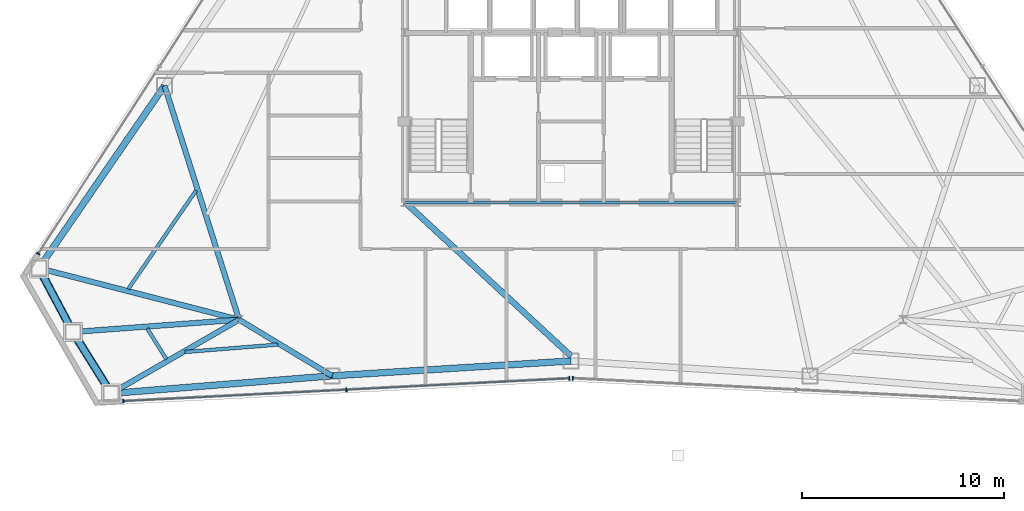
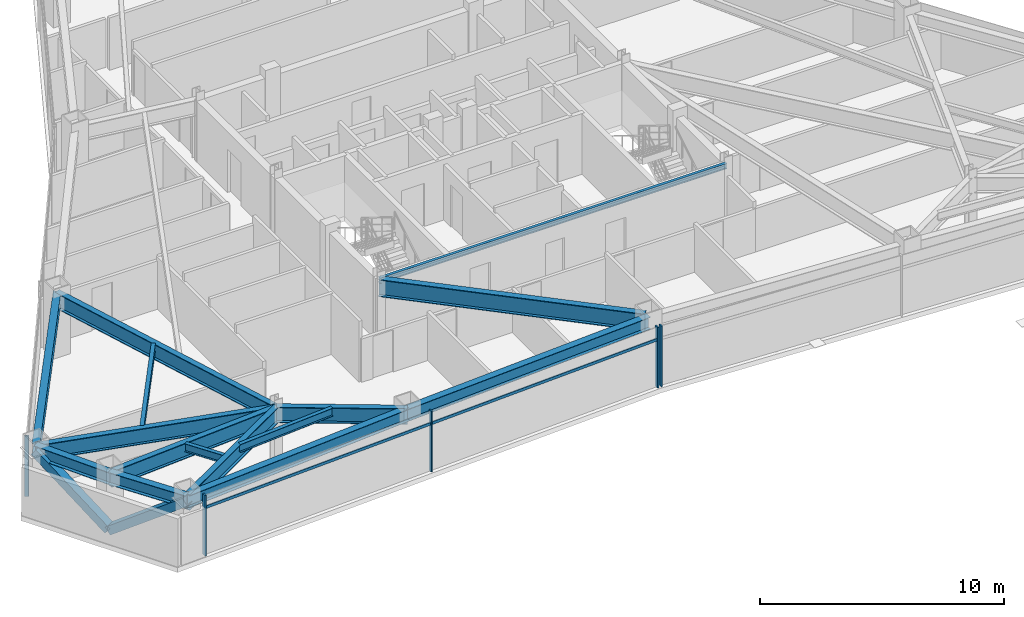
# One storey, part 3 of 12: 15 beams, 8 members, 3 elements without a shape of their own.
"""IFC4 building model written with IfcOpenShell, lengths in metres."""

from ifc_helpers import new_model, si_unit, direction, frame, origin, origin_2d, place, context, subcontext, project, spatial, rectangle, hollow_rectangle, i_section, extrude, source, transform, mapped, material, layer, layer_set, material_profile, profile_set, type_object, type_shapes, element, aggregate, save


model = new_model("IFC4")

# Units and contexts
model_context = context("Model", 3, precision=1e-05, world=origin(), true_north=direction((0.0, 1.0)))
body_context = subcontext(model_context, "Body", "Model", "MODEL_VIEW")
ifc_project = project(units=[si_unit("LENGTHUNIT", "METRE"), si_unit("AREAUNIT", "SQUARE_METRE"), si_unit("VOLUMEUNIT", "CUBIC_METRE"), si_unit("PLANEANGLEUNIT", "RADIAN"), si_unit("MASSUNIT", "GRAM", prefix="KILO")], contexts=[model_context])

# Site, building, storey
site_placement = place(None, origin())
site = spatial("IfcSite", under=ifc_project, at=site_placement, CompositionType="ELEMENT")
building_placement = place(site_placement, origin())
building = spatial("IfcBuilding", under=site, at=building_placement, Name="Varakhsha Concourse Tower", CompositionType="ELEMENT")
storey_placement = place(building_placement, frame((0.0, 0.0, 193.050048828125)))
storey = spatial("IfcBuildingStorey", under=building, at=storey_placement, Name="L55", CompositionType="ELEMENT", Elevation=193.050048828125)

# Beams
ifc_material_1 = material(Name="Structural Steel ASTM A992 Grade 50", Category="steel")
ifc_material_profile_1 = material_profile(ifc_material_1, i_section(OverallWidth=0.26611328125, OverallDepth=0.779052734375, WebThickness=0.01708984375, FlangeThickness=0.030029296875, at=origin_2d()), Name="W30X148")
ifc_profile_set_1 = profile_set([ifc_material_profile_1], Name="Structural Steel ASTM A992 Grade 50")
beam_type_1 = type_object("IfcBeamType", Name="BM-BASE-W30X148", PredefinedType="USERDEFINED", material=ifc_profile_set_1)
beam_1_placement = place(storey_placement, frame((23.60009765625, 10.60009765625, 2.640380859375), z_axis=(-0.303499298643, 0.952831661797, 0.0), x_axis=(-0.952831661797, -0.303499298643, 0.0)))
element("IfcBeam", 1, at=beam_1_placement, inside=storey, type_object=beam_type_1, Name="L55 Radial Floor Girder 06", ObjectType="GIRDER", PredefinedType="USERDEFINED", context=body_context, shape_type="SweptSolid", body=[
    extrude(i_section(OverallWidth=0.26611328125, OverallDepth=0.779052734375, WebThickness=0.01708984375, FlangeThickness=0.030029296875, at=origin_2d()), origin(), (0.0, 0.0, 1.0), 12.1337890625),
])
beam_2_placement = place(storey_placement, frame((23.60009765625, 10.60009765625, 2.640380859375), z_axis=(-0.968394014565, 0.249425404788, 0.0), x_axis=(-0.249425404788, -0.968394014565, 0.0)))
element("IfcBeam", 2, at=beam_2_placement, inside=storey, type_object=beam_type_1, Name="L55 Radial Floor Girder 07", ObjectType="GIRDER", PredefinedType="USERDEFINED", context=body_context, shape_type="SweptSolid", body=[
    extrude(i_section(OverallWidth=0.26611328125, OverallDepth=0.779052734375, WebThickness=0.01708984375, FlangeThickness=0.030029296875, at=origin_2d()), origin(), (0.0, 0.0, 1.0), 10.212890625),
])
beam_3_placement = place(storey_placement, frame((23.60009765625, 10.60009765625, 2.640380859375), z_axis=(-0.997259576834, -0.073982000601, 0.0), x_axis=(0.073982000601, -0.997259576834, 0.0)))
element("IfcBeam", 3, at=beam_3_placement, inside=storey, type_object=beam_type_1, Name="L55 Radial Floor Girder 08", ObjectType="GIRDER", PredefinedType="USERDEFINED", context=body_context, shape_type="SweptSolid", body=[
    extrude(i_section(OverallWidth=0.26611328125, OverallDepth=0.779052734375, WebThickness=0.01708984375, FlangeThickness=0.030029296875, at=origin_2d()), origin(), (0.0, 0.0, 1.0), 8.2333984375),
])
beam_4_placement = place(storey_placement, frame((23.60009765625, 10.60009765625, 2.640380859375), z_axis=(-0.866349426019, -0.499438356593, 0.0), x_axis=(0.499438356593, -0.866349426019, 0.0)))
element("IfcBeam", 4, at=beam_4_placement, inside=storey, type_object=beam_type_1, Name="L55 Radial Floor Girder 09", ObjectType="GIRDER", PredefinedType="USERDEFINED", context=body_context, shape_type="SweptSolid", body=[
    extrude(i_section(OverallWidth=0.26611328125, OverallDepth=0.779052734375, WebThickness=0.01708984375, FlangeThickness=0.030029296875, at=origin_2d()), origin(), (0.0, 0.0, 1.0), 7.29150390625),
])
beam_5_placement = place(storey_placement, frame((23.60009765625, 10.60009765625, 2.640380859375), z_axis=(0.856104708788, -0.516802406719, 0.0), x_axis=(0.516802406719, 0.856104708788, 0.0)))
element("IfcBeam", 5, at=beam_5_placement, inside=storey, type_object=beam_type_1, Name="L55 Radial Floor Girder 10", ObjectType="GIRDER", PredefinedType="USERDEFINED", context=body_context, shape_type="SweptSolid", body=[
    extrude(i_section(OverallWidth=0.26611328125, OverallDepth=0.779052734375, WebThickness=0.01708984375, FlangeThickness=0.030029296875, at=origin_2d()), origin(), (0.0, 0.0, 1.0), 5.365478515625),
])
ifc_material_profile_2 = material_profile(ifc_material_1, i_section(OverallWidth=0.177978515625, OverallDepth=0.406982421875, WebThickness=0.008056640625, FlangeThickness=0.012939453125, at=origin_2d()), Name="W16X40")
ifc_profile_set_2 = profile_set([ifc_material_profile_2], Name="Structural Steel ASTM A992 Grade 50")
beam_type_2 = type_object("IfcBeamType", Name="BM-JST-W16X40", PredefinedType="JOIST", material=ifc_profile_set_2)
beam_6_placement = place(storey_placement, frame((21.475341796875, 16.98388671875, 2.826416015625), z_axis=(-0.567156411607, -0.823610104827, 0.0), x_axis=(0.823610104827, -0.567156411607, 0.0)))
element("IfcBeam", 6, at=beam_6_placement, inside=storey, type_object=beam_type_2, Name="BM-TJST-L55-06", PredefinedType="JOIST", context=body_context, shape_type="SweptSolid", body=[
    extrude(i_section(OverallWidth=0.177978515625, OverallDepth=0.406982421875, WebThickness=0.008056640625, FlangeThickness=0.012939453125, at=origin_2d()), origin(), (0.0, 0.0, 1.0), 5.908935546875),
])
beam_7_placement = place(storey_placement, frame((19.060302734375, 10.16552734375, 2.826416015625), z_axis=(0.529764948507, -0.848144503804, 0.0), x_axis=(0.848144503804, 0.529764948507, 0.0)))
element("IfcBeam", 7, at=beam_7_placement, inside=storey, type_object=beam_type_2, Name="BM-TJST-L55-08", PredefinedType="JOIST", context=body_context, shape_type="SweptSolid", body=[
    extrude(i_section(OverallWidth=0.177978515625, OverallDepth=0.406982421875, WebThickness=0.008056640625, FlangeThickness=0.012939453125, at=origin_2d()), origin(), (0.0, 0.0, 1.0), 1.781982421875),
])
beam_8_placement = place(storey_placement, frame((20.930419921875, 9.00634765625, 2.826416015625), z_axis=(0.996845275482, 0.079369369088, 0.0), x_axis=(-0.079369369088, 0.996845275482, 0.0)))
element("IfcBeam", 8, at=beam_8_placement, inside=storey, type_object=beam_type_2, Name="BM-TJST-L55-09", PredefinedType="JOIST", context=body_context, shape_type="SweptSolid", body=[
    extrude(i_section(OverallWidth=0.177978515625, OverallDepth=0.406982421875, WebThickness=0.008056640625, FlangeThickness=0.012939453125, at=origin_2d()), origin(), (0.0, 0.0, 1.0), 4.595458984375),
])
ifc_material_profile_3 = material_profile(ifc_material_1, i_section(OverallWidth=0.14697265625, OverallDepth=0.261962890625, WebThickness=0.007080078125, FlangeThickness=0.010986328125, at=origin_2d()), Name="W10X26")
ifc_profile_set_3 = profile_set([ifc_material_profile_3], Name="Structural Steel ASTM A992 Grade 50")
beam_type_3 = type_object("IfcBeamType", Name="BM-LNTL-W10X26", PredefinedType="LINTEL", material=ifc_profile_set_3)
beam_9_placement = place(storey_placement, frame((31.800048828125, 16.39990234375, 2.89892578125), z_axis=(1.0, 0.0, 0.0), x_axis=(0.0, 1.0, 0.0)))
element("IfcBeam", 9, at=beam_9_placement, inside=storey, type_object=beam_type_3, Name="BM-TCORE-L55-CS", PredefinedType="LINTEL", context=body_context, shape_type="SweptSolid", body=[
    extrude(i_section(OverallWidth=0.14697265625, OverallDepth=0.261962890625, WebThickness=0.007080078125, FlangeThickness=0.010986328125, at=origin_2d()), origin(), (0.0, 0.0, 1.0), 16.39990234375),
])
ifc_material_profile_4 = material_profile(ifc_material_1, i_section(OverallWidth=0.2919921875, OverallDepth=0.85888671875, WebThickness=0.01708984375, FlangeThickness=0.031005859375, at=origin_2d()), Name="W33X169")
ifc_profile_set_4 = profile_set([ifc_material_profile_4], Name="Structural Steel ASTM A992 Grade 50")
beam_type_4 = type_object("IfcBeamType", Name="BM-POOL-W33X169", PredefinedType="USERDEFINED", material=ifc_profile_set_4)
beam_10_placement = place(storey_placement, frame((31.800048828125, 16.39990234375, 2.600341796875), z_axis=(0.733717917742, -0.679454205363, 0.0), x_axis=(0.679454205363, 0.733717917742, 0.0)))
element("IfcBeam", 10, at=beam_10_placement, inside=storey, type_object=beam_type_4, Name="Sky Pool Truss SPT-1 Back-Span Bottom Chord", ObjectType="GIRDER", PredefinedType="USERDEFINED", context=body_context, shape_type="SweptSolid", body=[
    extrude(i_section(OverallWidth=0.2919921875, OverallDepth=0.85888671875, WebThickness=0.01708984375, FlangeThickness=0.031005859375, at=origin_2d()), origin(), (0.0, 0.0, 1.0), 11.17578125),
])
ifc_material_profile_5 = material_profile(ifc_material_1, i_section(OverallWidth=0.323974609375, OverallDepth=0.611083984375, WebThickness=0.012939453125, FlangeThickness=0.01904296875, at=origin_2d()), Name="W24X104")
ifc_profile_set_5 = profile_set([ifc_material_profile_5], Name="Structural Steel ASTM A992 Grade 50")
beam_type_5 = type_object("IfcBeamType", Name="BM-SPAN-W24X104", PredefinedType="SPANDREL", material=ifc_profile_set_5)
beam_11_placement = place(storey_placement, frame((19.91748046875, 22.16162109375, 2.724365234375), z_axis=(-0.567166727317, -0.823603001102, 0.0), x_axis=(0.823603001102, -0.567166727317, 0.0)))
element("IfcBeam", 11, at=beam_11_placement, inside=storey, type_object=beam_type_5, Name="BM-SPAN-L55-06", PredefinedType="SPANDREL", context=body_context, shape_type="SweptSolid", body=[
    extrude(i_section(OverallWidth=0.323974609375, OverallDepth=0.611083984375, WebThickness=0.012939453125, FlangeThickness=0.01904296875, at=origin_2d()), origin(), (0.0, 0.0, 1.0), 10.94482421875),
])
for number, where, z_axis, x_axis, name in (
    (12, (13.7099609375, 13.1474609375, 2.724365234375), (0.46965940276, -0.88284769094, 0.0), (0.88284769094, 0.46965940276, 0.0), "BM-SPAN-L55-07"),
    (13, (15.38916015625, 9.990966796875, 2.724365234375), (0.529747263276, -0.848155550033, 0.0), (0.848155550033, 0.529747263276, 0.0), "BM-SPAN-L55-08"),
):
    element("IfcBeam", number, at=place(storey_placement, frame(where, z_axis=z_axis, x_axis=x_axis)), inside=storey, type_object=beam_type_5, Name=name, PredefinedType="SPANDREL", context=body_context, shape_type="SweptSolid", body=[
        extrude(i_section(OverallWidth=0.323974609375, OverallDepth=0.611083984375, WebThickness=0.012939453125, FlangeThickness=0.01904296875, at=origin_2d()), origin(), (0.0, 0.0, 1.0), 3.575439453125),
    ])
beam_12_placement = place(storey_placement, frame((17.283203125, 6.95849609375, 2.724365234375), z_axis=(0.99684556272, 0.079365761421, 0.0), x_axis=(-0.079365761421, 0.99684556272, 0.0)))
element("IfcBeam", 14, at=beam_12_placement, inside=storey, type_object=beam_type_5, Name="BM-SPAN-L55-09", PredefinedType="SPANDREL", context=body_context, shape_type="SweptSolid", body=[
    extrude(i_section(OverallWidth=0.323974609375, OverallDepth=0.611083984375, WebThickness=0.012939453125, FlangeThickness=0.01904296875, at=origin_2d()), origin(), (0.0, 0.0, 1.0), 10.94482421875),
])
beam_13_placement = place(storey_placement, frame((28.193603515625, 7.8271484375, 2.724365234375), z_axis=(0.998068526694, 0.062122588667, 0.0), x_axis=(-0.062122588667, 0.998068526694, 0.0)))
element("IfcBeam", 15, at=beam_13_placement, inside=storey, type_object=beam_type_5, Name="BM-SPAN-L55-10", PredefinedType="SPANDREL", context=body_context, shape_type="SweptSolid", body=[
    extrude(i_section(OverallWidth=0.323974609375, OverallDepth=0.611083984375, WebThickness=0.012939453125, FlangeThickness=0.01904296875, at=origin_2d()), origin(), (0.0, 0.0, 1.0), 11.829345703125),
])

# Members
ifc_material_2 = material(Name="Structural Steel ASTM A500 Grade C", Category="steel")
ifc_material_profile_6 = material_profile(ifc_material_2, hollow_rectangle(XDim=0.39990234375, YDim=0.39990234375, WallThickness=0.01611328125, at=origin_2d()), Name="HSS 400x400x16")
ifc_profile_set_6 = profile_set([ifc_material_profile_6], Name="Structural Steel ASTM A500 Grade C")
member_type_1 = type_object("IfcMemberType", Name="MB-TUBE-HSS400", PredefinedType="BRACE", material=ifc_profile_set_6)
shared_shape_1 = source(origin(), body_context, "Body", "SweptSolid", [
    extrude(hollow_rectangle(XDim=0.39990234375, YDim=0.39990234375, WallThickness=0.01611328125, at=origin_2d()), origin(), (0.0, 0.0, 1.0), 4.4267578125),
])
type_shapes(member_type_1, [shared_shape_1])
for number, where, z_axis, x_axis, name in (
    (16, (15.38916015625, 9.990966796875, 0.119873046875), (-0.379332834241, 0.713055279718, 0.5896259568), (-0.88284769094, -0.46965940276, 0.0), "L55 Wind-Corner Tube Brace B03"),
    (17, (15.38916015625, 9.990966796875, 0.119873046875), (0.427865035453, -0.685036298706, 0.589624270949), (0.848155550033, 0.529747263276, 0.0), "L55 Wind-Corner Tube Brace B04"),
):
    element("IfcMember", number, at=place(storey_placement, frame(where, z_axis=z_axis, x_axis=x_axis)), inside=storey, type_object=member_type_1, Name=name, PredefinedType="BRACE", context=body_context, shape_type="MappedRepresentation", body=[
        mapped(shared_shape_1, transform((0.0, 0.0, 0.0), scale=1.0)),
    ])

# Curtain wall, member
ifc_material_3 = material(Name="Anodised Bronze Architectural Aluminium AA 6063-T6", Category="aluminium")
ifc_layer = layer(ifc_material_3, 0.2099609375, Name="CW-SYS-04")
ifc_layer_set = layer_set([ifc_layer], Name="Anodised Bronze Architectural Aluminium AA 6063-T6")
curtain_wall_type = type_object("IfcCurtainWallType", Name="CW-SYS-04", PredefinedType="NOTDEFINED", material=ifc_layer_set)
curtain_wall_1_placement = place(storey_placement, origin())
curtain_wall_1 = element("IfcCurtainWall", 18, at=curtain_wall_1_placement, inside=storey, type_object=curtain_wall_type, Name="L55 Crystal Curtain Wall F3", PredefinedType="NOTDEFINED")
ifc_material_profile_7 = material_profile(ifc_material_3, rectangle(XDim=0.06494140625, YDim=0.179931640625, at=origin_2d()), Name="CWM-180X65")
ifc_profile_set_7 = profile_set([ifc_material_profile_7], Name="Anodised Bronze Architectural Aluminium AA 6063-T6")
member_type_2 = type_object("IfcMemberType", Name="CWM-180X65", PredefinedType="MULLION", material=ifc_profile_set_7)
shared_shape_2 = source(origin(), body_context, "Body", "SweptSolid", [
    extrude(rectangle(XDim=0.06494140625, YDim=0.179931640625, at=origin_2d()), origin(), (0.0, 0.0, 1.0), 3.030029296875),
])
type_shapes(member_type_2, [shared_shape_2])
member_1_placement = place(storey_placement, frame((13.683349609375, 13.860107421875, 0.0), z_axis=(0.0, 0.0, 1.0), x_axis=(0.543587630641, 0.8393524217, 0.0)))
member_1 = element("IfcMember", 19, at=member_1_placement, type_object=member_type_2, Name="CW-L55-F3 Mullion 00", PredefinedType="MULLION", context=body_context, shape_type="MappedRepresentation", body=[
    mapped(shared_shape_2, transform((0.0, 0.0, 0.0), scale=1.0)),
])
aggregate(curtain_wall_1, [member_1])

# Curtain wall, members
curtain_wall_2_placement = place(storey_placement, origin())
curtain_wall_2 = element("IfcCurtainWall", 20, at=curtain_wall_2_placement, inside=storey, type_object=curtain_wall_type, Name="L55 Crystal Curtain Wall F5", PredefinedType="NOTDEFINED")
member_2_placement = place(storey_placement, frame((39.911865234375, 7.705810546875, 0.0), z_axis=(0.0, 0.0, 1.0), x_axis=(-0.998693889407, -0.051093201718, 0.0)))
member_2 = element("IfcMember", 21, at=member_2_placement, type_object=member_type_2, Name="CW-L55-F5 Mullion 00", PredefinedType="MULLION", context=body_context, shape_type="MappedRepresentation", body=[
    mapped(shared_shape_2, transform((0.0, 0.0, 0.0), scale=1.0)),
])
member_3_placement = place(storey_placement, frame((28.8994140625, 7.142333984375, 0.0), z_axis=(0.0, 0.0, 1.0), x_axis=(-0.998693889407, -0.051093201718, 0.0)))
member_3 = element("IfcMember", 22, at=member_3_placement, type_object=member_type_2, Name="CW-L55-F5 Mullion 01", PredefinedType="MULLION", context=body_context, shape_type="MappedRepresentation", body=[
    mapped(shared_shape_2, transform((0.0, 0.0, 0.0), scale=1.0)),
])
member_4_placement = place(storey_placement, frame((17.886962890625, 6.578857421875, 0.0), z_axis=(0.0, 0.0, 1.0), x_axis=(-0.998693889407, -0.051093201718, 0.0)))
member_4 = element("IfcMember", 23, at=member_4_placement, type_object=member_type_2, Name="CW-L55-F5 Mullion 02", PredefinedType="MULLION", context=body_context, shape_type="MappedRepresentation", body=[
    mapped(shared_shape_2, transform((0.0, 0.0, 0.0), scale=1.0)),
])

# Curtain wall, member
curtain_wall_3_placement = place(storey_placement, origin())
curtain_wall_3 = element("IfcCurtainWall", 24, at=curtain_wall_3_placement, inside=storey, type_object=curtain_wall_type, Name="L55 Crystal Curtain Wall F6", PredefinedType="NOTDEFINED")
member_5_placement = place(storey_placement, frame((40.088134765625, 7.705810546875, 0.0), z_axis=(0.0, 0.0, 1.0), x_axis=(-0.998693889407, 0.051093201718, 0.0)))
member_5 = element("IfcMember", 25, at=member_5_placement, type_object=member_type_2, Name="CW-L55-F6 Mullion 02", PredefinedType="MULLION", context=body_context, shape_type="MappedRepresentation", body=[
    mapped(shared_shape_2, transform((0.0, 0.0, 0.0), scale=1.0)),
])
aggregate(curtain_wall_3, [member_5])

# Member
ifc_material_profile_8 = material_profile(ifc_material_3, rectangle(XDim=0.06005859375, YDim=0.139892578125, at=origin_2d()), Name="CWT-140X60")
ifc_profile_set_8 = profile_set([ifc_material_profile_8], Name="Anodised Bronze Architectural Aluminium AA 6063-T6")
member_type_3 = type_object("IfcMemberType", Name="CWT-140X60", PredefinedType="USERDEFINED", material=ifc_profile_set_8)
shared_shape_3 = source(origin(), body_context, "Body", "SweptSolid", [
    extrude(rectangle(XDim=0.06005859375, YDim=0.139892578125, at=origin_2d()), origin(), (0.0, 0.0, 1.0), 22.0537109375),
])
type_shapes(member_type_3, [shared_shape_3])
member_6_placement = place(storey_placement, frame((39.911865234375, 7.705810546875, 2.3798828125), z_axis=(-0.998693522356, -0.051100375764, 0.0), x_axis=(0.051100375764, -0.998693522356, 0.0)))
member_6 = element("IfcMember", 26, at=member_6_placement, type_object=member_type_3, Name="CW-L55-F5 Transom 01", ObjectType="TRANSOM", PredefinedType="USERDEFINED", context=body_context, shape_type="MappedRepresentation", body=[
    mapped(shared_shape_3, transform((0.0, 0.0, 0.0), scale=1.0)),
])

aggregate(curtain_wall_2, [member_2, member_3, member_4, member_6])

save(model, "model.ifc")
